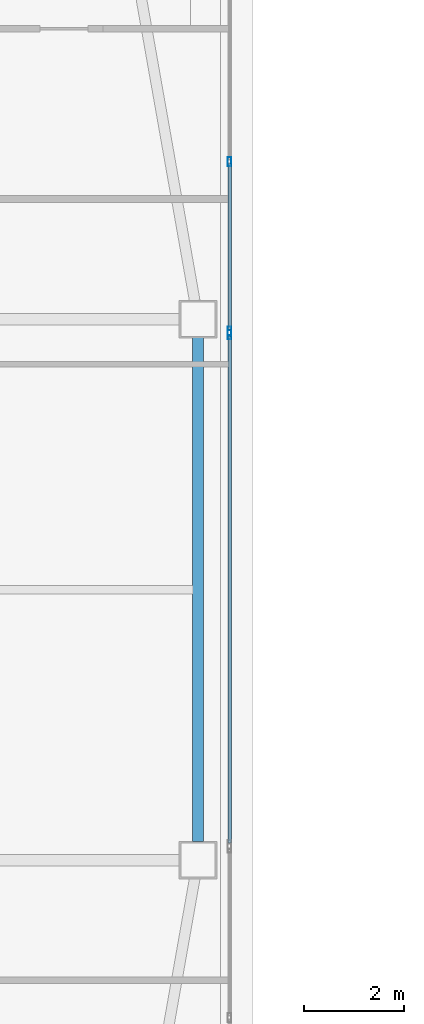
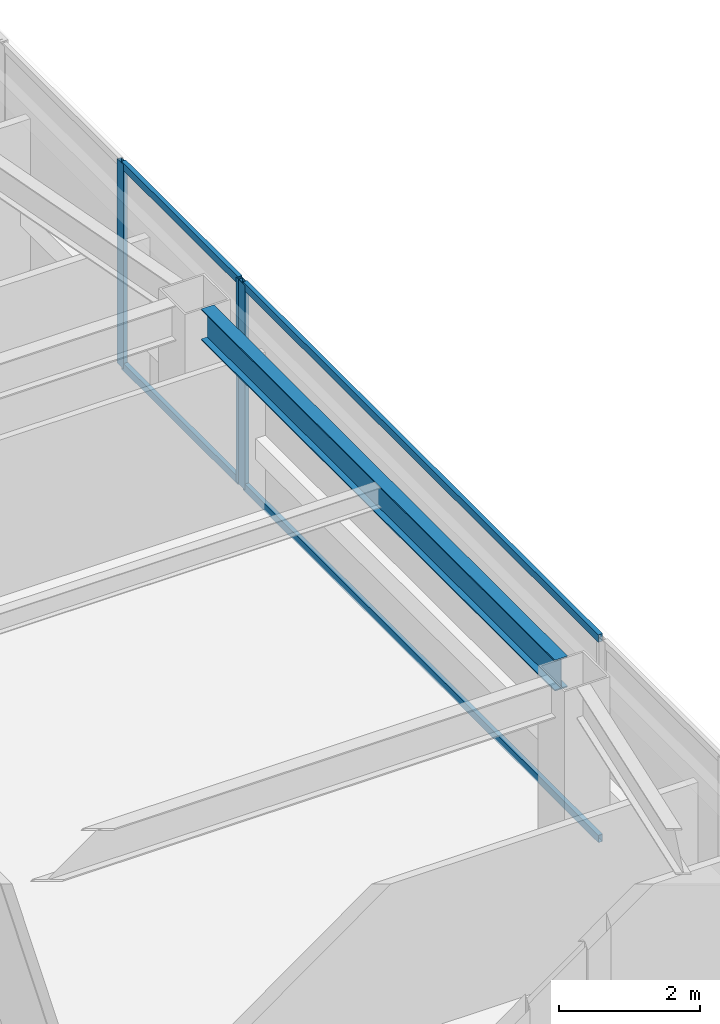
# One storey, part 11 of 43: 7 members, 1 beam, 2 elements without a shape of their own.
"""IFC4 building model written with IfcOpenShell, lengths in metres."""

from ifc_helpers import new_model, si_unit, direction, frame, origin, origin_2d, place, context, subcontext, project, spatial, hollow_rectangle, i_section, extrude, material, material_profile, profile_set, type_object, element, aggregate, save


model = new_model("IFC4")

# Units and contexts
model_context = context("Model", 3, precision=1e-05, world=origin(), true_north=direction((0.0, 1.0)))
body_context = subcontext(model_context, "Body", "Model", "MODEL_VIEW")
ifc_project = project(units=[si_unit("LENGTHUNIT", "METRE"), si_unit("AREAUNIT", "SQUARE_METRE"), si_unit("VOLUMEUNIT", "CUBIC_METRE"), si_unit("PLANEANGLEUNIT", "RADIAN"), si_unit("MASSUNIT", "GRAM", prefix="KILO")], contexts=[model_context])

# Site, building, storey
site_placement = place(None, origin())
site = spatial("IfcSite", under=ifc_project, at=site_placement, CompositionType="ELEMENT")
building_placement = place(site_placement, origin())
building = spatial("IfcBuilding", under=site, at=building_placement, Name="Tashvorn Skyway Center", CompositionType="ELEMENT")
storey_placement = place(building_placement, frame((0.0, 0.0, 160.550048828125)))
storey = spatial("IfcBuildingStorey", under=building, at=storey_placement, Name="L43", CompositionType="ELEMENT", Elevation=160.550048828125)

# Beam
ifc_material_1 = material(Name="Steel ASTM A992 Grade 50", Category="steel")
ifc_material_profile_1 = material_profile(ifc_material_1, i_section(OverallWidth=0.2109375, OverallDepth=0.5390625, WebThickness=0.01171875, FlangeThickness=0.018798828125, at=origin_2d()), Name="W21X73")
ifc_profile_set_1 = profile_set([ifc_material_profile_1], Name="Steel ASTM A992 Grade 50")
beam_type = type_object("IfcBeamType", Name="BM-SPANDREL-W21X73", PredefinedType="SPANDREL", material=ifc_profile_set_1)
beam_placement = place(storey_placement, frame((59.050048828125, 26.969970703125, 3.100341796875), z_axis=(0.0, 1.0, 0.0), x_axis=(-1.0, 0.0, 0.0)))
element("IfcBeam", 1, at=beam_placement, inside=storey, type_object=beam_type, Name="Tower 1 L43 Spandrel Beam 05", PredefinedType="SPANDREL", context=body_context, shape_type="SweptSolid", body=[
    extrude(i_section(OverallWidth=0.2109375, OverallDepth=0.5390625, WebThickness=0.01171875, FlangeThickness=0.018798828125, at=origin_2d()), origin(), (0.0, 0.0, 1.0), 10.06005859375),
])

# Curtain wall, members
ifc_material_2 = material(Name="Thermally broken bronze-anodized aluminium 6063-T6", Category="aluminium")
curtain_wall_type = type_object("IfcCurtainWallType", Name="CW-CW-Z4", PredefinedType="NOTDEFINED", material=ifc_material_2)
curtain_wall_1_placement = place(storey_placement, origin())
curtain_wall_1 = element("IfcCurtainWall", 2, at=curtain_wall_1_placement, inside=storey, type_object=curtain_wall_type, Name="Tower 1 L43 East Unitised Curtain Wall Glazing Group 1", PredefinedType="NOTDEFINED")
ifc_material_profile_2 = material_profile(ifc_material_2, hollow_rectangle(XDim=0.070068359375, YDim=0.179931640625, WallThickness=0.00390625, at=origin_2d()), Name="ALU-MULL-70x180")
ifc_profile_set_2 = profile_set([ifc_material_profile_2], Name="Thermally broken bronze-anodized aluminium 6063-T6")
member_type_1 = type_object("IfcMemberType", Name="CWM-CW-Z4", PredefinedType="MULLION", material=ifc_profile_set_2)
member_1_placement = place(storey_placement, frame((59.679931640625, 40.54443359375, 0.0), z_axis=(0.0, 0.0, 1.0), x_axis=(1.0, 0.0, 0.0)))
member_1 = element("IfcMember", 3, at=member_1_placement, type_object=member_type_1, Name="CW-Z4 mullion 2", PredefinedType="MULLION", context=body_context, shape_type="SweptSolid", body=[
    extrude(hollow_rectangle(XDim=0.070068359375, YDim=0.179931640625, WallThickness=0.00390625, at=origin_2d()), origin(), (0.0, 0.0, 1.0), 3.550048828125),
])
member_2_placement = place(storey_placement, frame((59.679931640625, 37.16162109375, 0.0), z_axis=(0.0, 0.0, 1.0), x_axis=(1.0, 0.0, 0.0)))
member_2 = element("IfcMember", 4, at=member_2_placement, type_object=member_type_1, Name="CW-Z4 mullion 3", PredefinedType="MULLION", context=body_context, shape_type="SweptSolid", body=[
    extrude(hollow_rectangle(XDim=0.070068359375, YDim=0.179931640625, WallThickness=0.00390625, at=origin_2d()), origin(), (0.0, 0.0, 1.0), 3.550048828125),
])

# Curtain wall, member
curtain_wall_2_placement = place(storey_placement, origin())
curtain_wall_2 = element("IfcCurtainWall", 5, at=curtain_wall_2_placement, inside=storey, type_object=curtain_wall_type, Name="Tower 1 L43 East Unitised Curtain Wall Glazing Group 2", PredefinedType="NOTDEFINED")
member_3_placement = place(storey_placement, frame((59.679931640625, 37.091796875, 0.0), z_axis=(0.0, 0.0, 1.0), x_axis=(1.0, 0.0, 0.0)))
member_3 = element("IfcMember", 6, at=member_3_placement, type_object=member_type_1, Name="CW-Z4 mullion 1", PredefinedType="MULLION", context=body_context, shape_type="SweptSolid", body=[
    extrude(hollow_rectangle(XDim=0.070068359375, YDim=0.179931640625, WallThickness=0.00390625, at=origin_2d()), origin(), (0.0, 0.0, 1.0), 3.550048828125),
])

# Member
ifc_material_profile_3 = material_profile(ifc_material_2, hollow_rectangle(XDim=0.070068359375, YDim=0.1298828125, WallThickness=0.00390625, at=origin_2d()), Name="ALU-TRAN-70x130")
ifc_profile_set_3 = profile_set([ifc_material_profile_3], Name="Thermally broken bronze-anodized aluminium 6063-T6")
member_type_2 = type_object("IfcMemberType", Name="CWT-CW-Z4", PredefinedType="USERDEFINED", material=ifc_profile_set_3)
member_4_placement = place(storey_placement, frame((59.679931640625, 40.509521484375, 0.034912109375), z_axis=(0.0, -1.0, 0.0), x_axis=(1.0, 0.0, 0.0)))
member_4 = element("IfcMember", 7, at=member_4_placement, type_object=member_type_2, Name="CW-Z4 transom 2.1", ObjectType="TRANSOM", PredefinedType="USERDEFINED", context=body_context, shape_type="SweptSolid", body=[
    extrude(hollow_rectangle(XDim=0.070068359375, YDim=0.1298828125, WallThickness=0.00390625, at=origin_2d()), origin(), (0.0, 0.0, 1.0), 3.312744140625),
])

member_5_placement = place(storey_placement, frame((59.679931640625, 40.509521484375, 3.514892578125), z_axis=(0.0, -1.0, 0.0), x_axis=(1.0, 0.0, 0.0)))
member_5 = element("IfcMember", 8, at=member_5_placement, type_object=member_type_2, Name="CW-Z4 transom 2.2", ObjectType="TRANSOM", PredefinedType="USERDEFINED", context=body_context, shape_type="SweptSolid", body=[
    extrude(hollow_rectangle(XDim=0.070068359375, YDim=0.1298828125, WallThickness=0.00390625, at=origin_2d()), origin(), (0.0, 0.0, 1.0), 3.312744140625),
])

aggregate(curtain_wall_1, [member_1, member_2, member_4, member_5])

member_6_placement = place(storey_placement, frame((59.679931640625, 37.056640625, 0.034912109375), z_axis=(0.0, -1.0, 0.0), x_axis=(1.0, 0.0, 0.0)))
member_6 = element("IfcMember", 9, at=member_6_placement, type_object=member_type_2, Name="CW-Z4 transom 1.1", ObjectType="TRANSOM", PredefinedType="USERDEFINED", context=body_context, shape_type="SweptSolid", body=[
    extrude(hollow_rectangle(XDim=0.070068359375, YDim=0.1298828125, WallThickness=0.00390625, at=origin_2d()), origin(), (0.0, 0.0, 1.0), 10.11328125),
])

member_7_placement = place(storey_placement, frame((59.679931640625, 37.056640625, 3.514892578125), z_axis=(0.0, -1.0, 0.0), x_axis=(1.0, 0.0, 0.0)))
member_7 = element("IfcMember", 10, at=member_7_placement, type_object=member_type_2, Name="CW-Z4 transom 1.2", ObjectType="TRANSOM", PredefinedType="USERDEFINED", context=body_context, shape_type="SweptSolid", body=[
    extrude(hollow_rectangle(XDim=0.070068359375, YDim=0.1298828125, WallThickness=0.00390625, at=origin_2d()), origin(), (0.0, 0.0, 1.0), 10.11328125),
])

aggregate(curtain_wall_2, [member_3, member_6, member_7])

save(model, "model.ifc")
